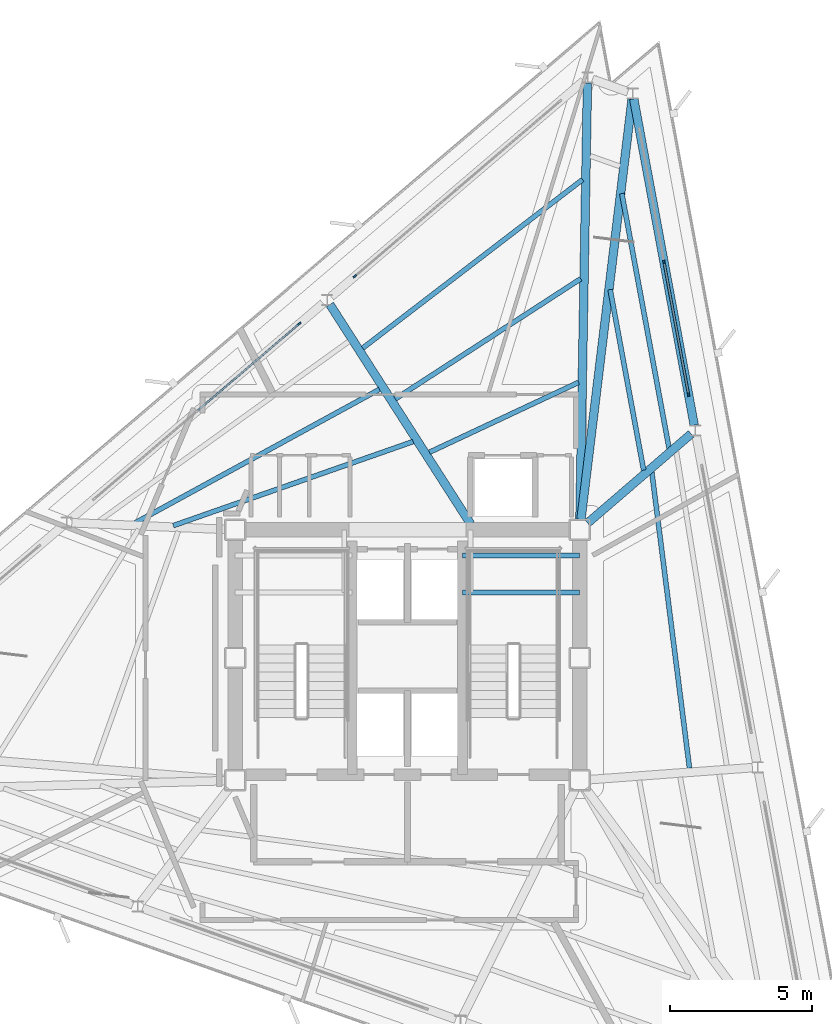
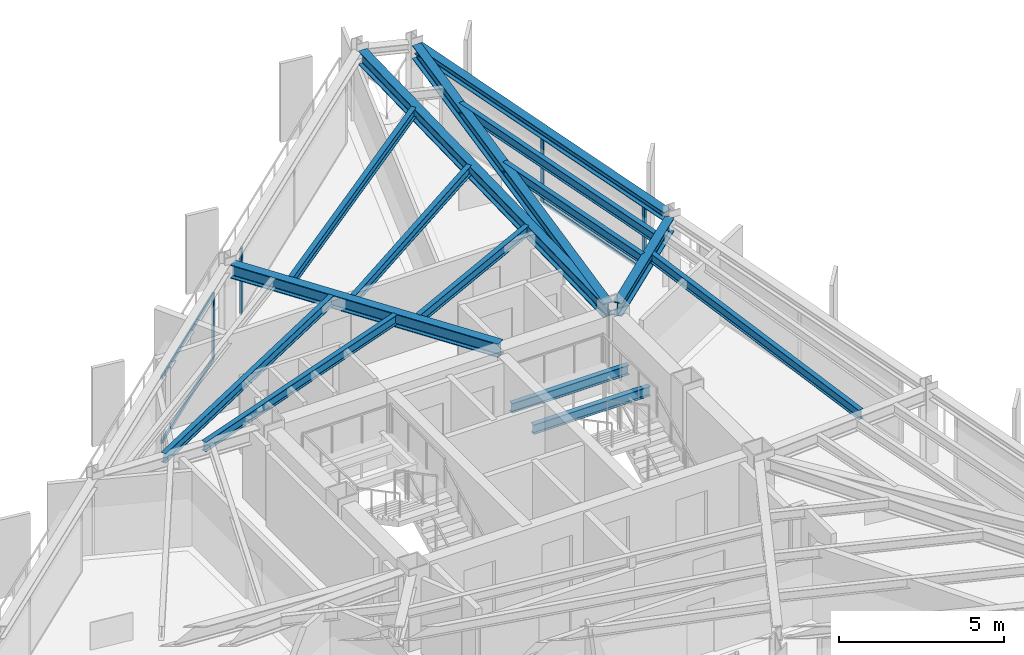
# One storey, part 5 of 14: 15 beams, 8 members, 3 elements without a shape of their own.
"""IFC4 building model written with IfcOpenShell, lengths in metres."""

from ifc_helpers import new_model, si_unit, direction, frame, origin, origin_2d, place, context, subcontext, project, spatial, rectangle, i_section, extrude, material, layer, layer_set, material_profile, profile_set, type_object, element, aggregate, save


model = new_model("IFC4")

# Units and contexts
model_context = context("Model", 3, precision=1e-05, world=origin(), true_north=direction((0.0, 1.0)))
body_context = subcontext(model_context, "Body", "Model", "MODEL_VIEW")
ifc_project = project(units=[si_unit("LENGTHUNIT", "METRE"), si_unit("AREAUNIT", "SQUARE_METRE"), si_unit("VOLUMEUNIT", "CUBIC_METRE"), si_unit("PLANEANGLEUNIT", "RADIAN"), si_unit("MASSUNIT", "GRAM", prefix="KILO")], contexts=[model_context])

# Site, building, storey
site_placement = place(None, origin())
site = spatial("IfcSite", under=ifc_project, at=site_placement, CompositionType="ELEMENT")
building_placement = place(site_placement, origin())
building = spatial("IfcBuilding", under=site, at=building_placement, Name="Rocaltana Carrier Exchange", CompositionType="ELEMENT")
storey_placement = place(building_placement, frame((0.0, 0.0, 181.43994140625)))
storey = spatial("IfcBuildingStorey", under=building, at=storey_placement, Name="L57", CompositionType="ELEMENT", Elevation=181.43994140625)

# Curtain wall, members
ifc_material_1 = material(Name="Aluminium 6063-T6", Category="aluminium")
ifc_layer = layer(ifc_material_1, 0.135009765625)
ifc_layer_set = layer_set([ifc_layer], Name="Aluminium 6063-T6")
curtain_wall_type = type_object("IfcCurtainWallType", Name="Upper-Mid Acoustic Curtain Wall CW-04", PredefinedType="NOTDEFINED", material=ifc_layer_set)
curtain_wall_1_placement = place(storey_placement, origin())
curtain_wall_1 = element("IfcCurtainWall", 1, at=curtain_wall_1_placement, inside=storey, type_object=curtain_wall_type, Name="L57 CW-04 Run CW-L57-F1S3", PredefinedType="NOTDEFINED")
ifc_material_2 = material(Name="Aluminium 6063-T6", Category="aluminium")
ifc_material_profile_1 = material_profile(ifc_material_2, rectangle(XDim=0.06494140625, YDim=0.135009765625, at=origin_2d()), Name="AL-65X135")
ifc_profile_set_1 = profile_set([ifc_material_profile_1], Name="Aluminium 6063-T6")
member_type_1 = type_object("IfcMemberType", Name="CW-04 Mullion AL-65X135", PredefinedType="MULLION", material=ifc_profile_set_1)
member_1_placement = place(storey_placement, frame((9.873046875, 9.25341796875, 0.0), z_axis=(0.0, 0.0, 1.0), x_axis=(-0.983254796134, -0.182236126712, 0.0)))
member_1 = element("IfcMember", 2, at=member_1_placement, type_object=member_type_1, Name="CW-04 mullion 1", PredefinedType="MULLION", context=body_context, shape_type="SweptSolid", body=[
    extrude(rectangle(XDim=0.06494140625, YDim=0.135009765625, at=origin_2d()), origin(), (0.0, 0.0, 1.0), 2.447998046875),
])
member_2_placement = place(storey_placement, frame((9.01025390625, 13.908203125, 0.0), z_axis=(0.0, 0.0, 1.0), x_axis=(-0.983254796134, -0.182236126712, 0.0)))
member_2 = element("IfcMember", 3, at=member_2_placement, type_object=member_type_1, Name="CW-04 mullion 2", PredefinedType="MULLION", context=body_context, shape_type="SweptSolid", body=[
    extrude(rectangle(XDim=0.06494140625, YDim=0.135009765625, at=origin_2d()), origin(), (0.0, 0.0, 1.0), 2.447998046875),
])

# Curtain wall, member
curtain_wall_2_placement = place(storey_placement, origin())
curtain_wall_2 = element("IfcCurtainWall", 4, at=curtain_wall_2_placement, inside=storey, type_object=curtain_wall_type, Name="L57 CW-04 Run CW-L57-F2S1", PredefinedType="NOTDEFINED")
member_3_placement = place(storey_placement, frame((-1.849365234375, 13.404541015625, 0.0), z_axis=(0.0, 0.0, 1.0), x_axis=(0.649447944918, -0.760406053922, 0.0)))
member_3 = element("IfcMember", 5, at=member_3_placement, type_object=member_type_1, Name="CW-04 mullion 3", PredefinedType="MULLION", context=body_context, shape_type="SweptSolid", body=[
    extrude(rectangle(XDim=0.06494140625, YDim=0.135009765625, at=origin_2d()), origin(), (0.0, 0.0, 1.0), 2.447998046875),
])
aggregate(curtain_wall_2, [member_3])

curtain_wall_3_placement = place(storey_placement, origin())
curtain_wall_3 = element("IfcCurtainWall", 6, at=curtain_wall_3_placement, inside=storey, type_object=curtain_wall_type, Name="L57 CW-04 Run CW-L57-F2S2", PredefinedType="NOTDEFINED")
member_4_placement = place(storey_placement, frame((-3.7998046875, 11.73876953125, 0.0), z_axis=(0.0, 0.0, 1.0), x_axis=(0.649454010067, -0.760400873756, 0.0)))
member_4 = element("IfcMember", 7, at=member_4_placement, type_object=member_type_1, Name="CW-04 mullion 1", PredefinedType="MULLION", context=body_context, shape_type="SweptSolid", body=[
    extrude(rectangle(XDim=0.06494140625, YDim=0.135009765625, at=origin_2d()), origin(), (0.0, 0.0, 1.0), 2.447998046875),
])

# Member
ifc_material_3 = material(Name="Aluminium 6063-T6", Category="aluminium")
ifc_material_profile_2 = material_profile(ifc_material_3, rectangle(XDim=0.06494140625, YDim=0.135009765625, at=origin_2d()), Name="AL-65X135")
ifc_profile_set_2 = profile_set([ifc_material_profile_2], Name="Aluminium 6063-T6")
member_type_2 = type_object("IfcMemberType", Name="CW-04 Transom AL-65X135", PredefinedType="USERDEFINED", material=ifc_profile_set_2)
member_5_placement = place(storey_placement, frame((9.866943359375, 9.285400390625, 0.032470703125), z_axis=(-0.182229691605, 0.983255988793, 0.0), x_axis=(-0.983255988793, -0.182229691605, 0.0)))
member_5 = element("IfcMember", 8, at=member_5_placement, type_object=member_type_2, Name="CW-04 transom 1.1", ObjectType="TRANSOM", PredefinedType="USERDEFINED", context=body_context, shape_type="SweptSolid", body=[
    extrude(rectangle(XDim=0.06494140625, YDim=0.135009765625, at=origin_2d()), origin(), (0.0, 0.0, 1.0), 4.6689453125),
])

member_6_placement = place(storey_placement, frame((9.866943359375, 9.285400390625, 2.41552734375), z_axis=(-0.182229691605, 0.983255988793, 0.0), x_axis=(-0.983255988793, -0.182229691605, 0.0)))
member_6 = element("IfcMember", 9, at=member_6_placement, type_object=member_type_2, Name="CW-04 transom 1.2", ObjectType="TRANSOM", PredefinedType="USERDEFINED", context=body_context, shape_type="SweptSolid", body=[
    extrude(rectangle(XDim=0.06494140625, YDim=0.135009765625, at=origin_2d()), origin(), (0.0, 0.0, 1.0), 4.6689453125),
])

aggregate(curtain_wall_1, [member_1, member_2, member_5, member_6])

member_7_placement = place(storey_placement, frame((-3.82470703125, 11.717529296875, 0.032470703125), z_axis=(-0.760381209804, -0.649477032525, 0.0), x_axis=(0.649477032525, -0.760381209804, 0.0)))
member_7 = element("IfcMember", 10, at=member_7_placement, type_object=member_type_2, Name="CW-04 transom 1.1", ObjectType="TRANSOM", PredefinedType="USERDEFINED", context=body_context, shape_type="SweptSolid", body=[
    extrude(rectangle(XDim=0.06494140625, YDim=0.135009765625, at=origin_2d()), origin(), (0.0, 0.0, 1.0), 4.669189453125),
])

member_8_placement = place(storey_placement, frame((-3.82470703125, 11.717529296875, 2.41552734375), z_axis=(-0.760381209804, -0.649477032525, 0.0), x_axis=(0.649477032525, -0.760381209804, 0.0)))
member_8 = element("IfcMember", 11, at=member_8_placement, type_object=member_type_2, Name="CW-04 transom 1.2", ObjectType="TRANSOM", PredefinedType="USERDEFINED", context=body_context, shape_type="SweptSolid", body=[
    extrude(rectangle(XDim=0.06494140625, YDim=0.135009765625, at=origin_2d()), origin(), (0.0, 0.0, 1.0), 4.669189453125),
])

aggregate(curtain_wall_3, [member_4, member_7, member_8])

# Beams
ifc_material_4 = material(Name="Steel S355", Category="steel")
ifc_material_profile_3 = material_profile(ifc_material_4, i_section(OverallWidth=0.172119140625, OverallDepth=0.35791015625, WebThickness=0.0078125, FlangeThickness=0.01318359375, FilletRadius=0.011962890625, at=origin_2d()), Name="W14X38")
ifc_profile_set_3 = profile_set([ifc_material_profile_3], Name="Steel S355")
beam_type_1 = type_object("IfcBeamType", Name="Floor Joist W14X38", PredefinedType="JOIST", material=ifc_profile_set_3)
for number, where, z_axis, x_axis, name in (
    (12, (1.93994140625, 2.300048828125, 1.14111328125), (1.0, 0.0, 0.0), (0.0, 1.0, 0.0), "L57 ST-2 Landing Carrier 1"),
    (13, (1.93994140625, 3.60009765625, 1.14111328125), (1.0, 0.0, 0.0), (0.0, 1.0, 0.0), "L57 ST-2 Landing Carrier 2"),
):
    element("IfcBeam", number, at=place(storey_placement, frame(where, z_axis=z_axis, x_axis=x_axis)), inside=storey, type_object=beam_type_1, Name=name, PredefinedType="JOIST", context=body_context, shape_type="SweptSolid", body=[
        extrude(i_section(OverallWidth=0.172119140625, OverallDepth=0.35791015625, WebThickness=0.0078125, FlangeThickness=0.01318359375, FilletRadius=0.011962890625, at=origin_2d()), origin(), (0.0, 0.0, 1.0), 4.110107421875),
    ])
beam_1_placement = place(storey_placement, frame((9.906494140625, -3.87158203125, 2.619140625), z_axis=(-0.126288464716, 0.991993560301, 0.0), x_axis=(-0.991993560301, -0.126288464716, 0.0)))
element("IfcBeam", 14, at=beam_1_placement, inside=storey, type_object=beam_type_1, Name="FJ-L57-02-2", PredefinedType="JOIST", context=body_context, shape_type="SweptSolid", body=[
    extrude(i_section(OverallWidth=0.172119140625, OverallDepth=0.35791015625, WebThickness=0.0078125, FlangeThickness=0.01318359375, FilletRadius=0.011962890625, at=origin_2d()), origin(), (0.0, 0.0, 1.0), 10.47802734375),
])
beam_2_placement = place(storey_placement, frame((8.29541015625, 6.597412109375, 2.619140625), z_axis=(-0.182201749781, 0.983261166922, 0.0), x_axis=(-0.983261166922, -0.182201749781, 0.0)))
element("IfcBeam", 15, at=beam_2_placement, inside=storey, type_object=beam_type_1, Name="FJ-L57-03-2", PredefinedType="JOIST", context=body_context, shape_type="SweptSolid", body=[
    extrude(i_section(OverallWidth=0.172119140625, OverallDepth=0.35791015625, WebThickness=0.0078125, FlangeThickness=0.01318359375, FilletRadius=0.011962890625, at=origin_2d()), origin(), (0.0, 0.0, 1.0), 6.450439453125),
])
beam_3_placement = place(storey_placement, frame((9.18798828125, 7.365478515625, 2.619140625), z_axis=(-0.18223051112, 0.98325583691, 0.0), x_axis=(-0.98325583691, -0.18223051112, 0.0)))
element("IfcBeam", 16, at=beam_3_placement, inside=storey, type_object=beam_type_1, Name="FJ-L57-03-3", PredefinedType="JOIST", context=body_context, shape_type="SweptSolid", body=[
    extrude(i_section(OverallWidth=0.172119140625, OverallDepth=0.35791015625, WebThickness=0.0078125, FlangeThickness=0.01318359375, FilletRadius=0.011962890625, at=origin_2d()), origin(), (0.0, 0.0, 1.0), 9.09814453125),
])
beam_4_placement = place(storey_placement, frame((6.010498046875, 9.681396484375, 2.619140625), z_axis=(-0.905370731106, -0.42462199573, 0.0), x_axis=(0.42462199573, -0.905370731106, 0.0)))
element("IfcBeam", 17, at=beam_4_placement, inside=storey, type_object=beam_type_1, Name="FJ-L57-05-1", PredefinedType="JOIST", context=body_context, shape_type="SweptSolid", body=[
    extrude(i_section(OverallWidth=0.172119140625, OverallDepth=0.35791015625, WebThickness=0.0078125, FlangeThickness=0.01318359375, FilletRadius=0.011962890625, at=origin_2d()), origin(), (0.0, 0.0, 1.0), 5.78515625),
])
beam_5_placement = place(storey_placement, frame((6.08349609375, 13.318115234375, 2.619140625), z_axis=(-0.839155380269, -0.543891761075, 0.0), x_axis=(0.543891761075, -0.839155380269, 0.0)))
element("IfcBeam", 18, at=beam_5_placement, inside=storey, type_object=beam_type_1, Name="FJ-L57-05-2", PredefinedType="JOIST", context=body_context, shape_type="SweptSolid", body=[
    extrude(i_section(OverallWidth=0.172119140625, OverallDepth=0.35791015625, WebThickness=0.0078125, FlangeThickness=0.01318359375, FilletRadius=0.011962890625, at=origin_2d()), origin(), (0.0, 0.0, 1.0), 7.75830078125),
])
beam_6_placement = place(storey_placement, frame((6.150634765625, 16.803955078125, 2.619140625), z_axis=(-0.793620898392, -0.608412581753, 0.0), x_axis=(0.608412581753, -0.793620898392, 0.0)))
element("IfcBeam", 19, at=beam_6_placement, inside=storey, type_object=beam_type_1, Name="FJ-L57-05-3", PredefinedType="JOIST", context=body_context, shape_type="SweptSolid", body=[
    extrude(i_section(OverallWidth=0.172119140625, OverallDepth=0.35791015625, WebThickness=0.0078125, FlangeThickness=0.01318359375, FilletRadius=0.011962890625, at=origin_2d()), origin(), (0.0, 0.0, 1.0), 9.73095703125),
])
beam_7_placement = place(storey_placement, frame((0.196044921875, 7.600341796875, 2.619140625), z_axis=(-0.943672237623, -0.330881712913, 0.0), x_axis=(0.330881712913, -0.943672237623, 0.0)))
element("IfcBeam", 20, at=beam_7_placement, inside=storey, type_object=beam_type_1, Name="FJ-L57-06-1", PredefinedType="JOIST", context=body_context, shape_type="SweptSolid", body=[
    extrude(i_section(OverallWidth=0.172119140625, OverallDepth=0.35791015625, WebThickness=0.0078125, FlangeThickness=0.01318359375, FilletRadius=0.011962890625, at=origin_2d()), origin(), (0.0, 0.0, 1.0), 8.923583984375),
])
beam_8_placement = place(storey_placement, frame((-0.984619140625, 9.435302734375, 2.619140625), z_axis=(-0.877487444281, -0.479599609184, 0.0), x_axis=(0.479599609184, -0.877487444281, 0.0)))
element("IfcBeam", 21, at=beam_8_placement, inside=storey, type_object=beam_type_1, Name="FJ-L57-06-2", PredefinedType="JOIST", context=body_context, shape_type="SweptSolid", body=[
    extrude(i_section(OverallWidth=0.172119140625, OverallDepth=0.35791015625, WebThickness=0.0078125, FlangeThickness=0.01318359375, FilletRadius=0.011962890625, at=origin_2d()), origin(), (0.0, 0.0, 1.0), 9.81494140625),
])
ifc_material_5 = material(Name="Steel S355", Category="steel")
ifc_material_profile_4 = material_profile(ifc_material_5, i_section(OverallWidth=0.300048828125, OverallDepth=0.320068359375, WebThickness=0.011474609375, FlangeThickness=0.0205078125, FilletRadius=0.027099609375, at=origin_2d()), Name="HEB320")
ifc_profile_set_4 = profile_set([ifc_material_profile_4], Name="Steel S355")
beam_type_2 = type_object("IfcBeamType", Name="Spandrel Edge Beam HEB320", PredefinedType="SPANDREL", material=ifc_profile_set_4)
beam_9_placement = place(storey_placement, frame((10.072998046875, 8.1748046875, 2.637939453125), z_axis=(-0.182255678448, 0.983251172221, 0.0), x_axis=(-0.983251172221, -0.182255678448, 0.0)))
element("IfcBeam", 22, at=beam_9_placement, inside=storey, type_object=beam_type_2, Name="SP-L57-03", PredefinedType="SPANDREL", context=body_context, shape_type="SweptSolid", body=[
    extrude(i_section(OverallWidth=0.300048828125, OverallDepth=0.320068359375, WebThickness=0.011474609375, FlangeThickness=0.0205078125, FilletRadius=0.027099609375, at=origin_2d()), origin(), (0.0, 0.0, 1.0), 11.662109375),
])
ifc_material_6 = material(Name="Steel S355", Category="steel")
ifc_material_profile_5 = material_profile(ifc_material_6, i_section(OverallWidth=0.300048828125, OverallDepth=0.5, WebThickness=0.014404296875, FlangeThickness=0.028076171875, FilletRadius=0.027099609375, at=origin_2d()), Name="HEB500")
ifc_profile_set_5 = profile_set([ifc_material_profile_5], Name="Steel S355")
beam_type_3 = type_object("IfcBeamType", Name="Upper Radial Girder HEB500", PredefinedType="BEAM", material=ifc_profile_set_5)
beam_10_placement = place(storey_placement, frame((6.328125, 4.739501953125, 2.548095703125), z_axis=(0.757854718063, 0.652423348991, 0.0), x_axis=(-0.652423348991, 0.757854718063, 0.0)))
element("IfcBeam", 23, at=beam_10_placement, inside=storey, type_object=beam_type_3, Name="RG-L57-03", PredefinedType="BEAM", context=body_context, shape_type="SweptSolid", body=[
    extrude(i_section(OverallWidth=0.300048828125, OverallDepth=0.5, WebThickness=0.014404296875, FlangeThickness=0.028076171875, FilletRadius=0.027099609375, at=origin_2d()), origin(), (0.0, 0.0, 1.0), 4.80029296875),
])
beam_11_placement = place(storey_placement, frame((6.09423828125, 4.8642578125, 2.548095703125), z_axis=(0.120737437197, 0.992684477193, 0.0), x_axis=(-0.992684477193, 0.120737437197, 0.0)))
element("IfcBeam", 24, at=beam_11_placement, inside=storey, type_object=beam_type_3, Name="RG-L57-04", PredefinedType="BEAM", context=body_context, shape_type="SweptSolid", body=[
    extrude(i_section(OverallWidth=0.300048828125, OverallDepth=0.5, WebThickness=0.014404296875, FlangeThickness=0.028076171875, FilletRadius=0.027099609375, at=origin_2d()), origin(), (0.0, 0.0, 1.0), 14.884521484375),
])
beam_12_placement = place(storey_placement, frame((6.056396484375, 4.866943359375, 2.548095703125), z_axis=(0.017335674052, 0.999849725911, 0.0), x_axis=(-0.999849725911, 0.017335674052, 0.0)))
element("IfcBeam", 25, at=beam_12_placement, inside=storey, type_object=beam_type_3, Name="RG-L57-05", PredefinedType="BEAM", context=body_context, shape_type="SweptSolid", body=[
    extrude(i_section(OverallWidth=0.300048828125, OverallDepth=0.5, WebThickness=0.014404296875, FlangeThickness=0.028076171875, FilletRadius=0.027099609375, at=origin_2d()), origin(), (0.0, 0.0, 1.0), 15.33642578125),
])
beam_13_placement = place(storey_placement, frame((2.219482421875, 4.70361328125, 2.548095703125), z_axis=(-0.539721329294, 0.841843742452, 0.0), x_axis=(-0.841843742452, -0.539721329294, 0.0)))
element("IfcBeam", 26, at=beam_13_placement, inside=storey, type_object=beam_type_3, Name="RG-L57-06", PredefinedType="BEAM", context=body_context, shape_type="SweptSolid", body=[
    extrude(i_section(OverallWidth=0.300048828125, OverallDepth=0.5, WebThickness=0.014404296875, FlangeThickness=0.028076171875, FilletRadius=0.027099609375, at=origin_2d()), origin(), (0.0, 0.0, 1.0), 9.160400390625),
])

save(model, "model.ifc")
